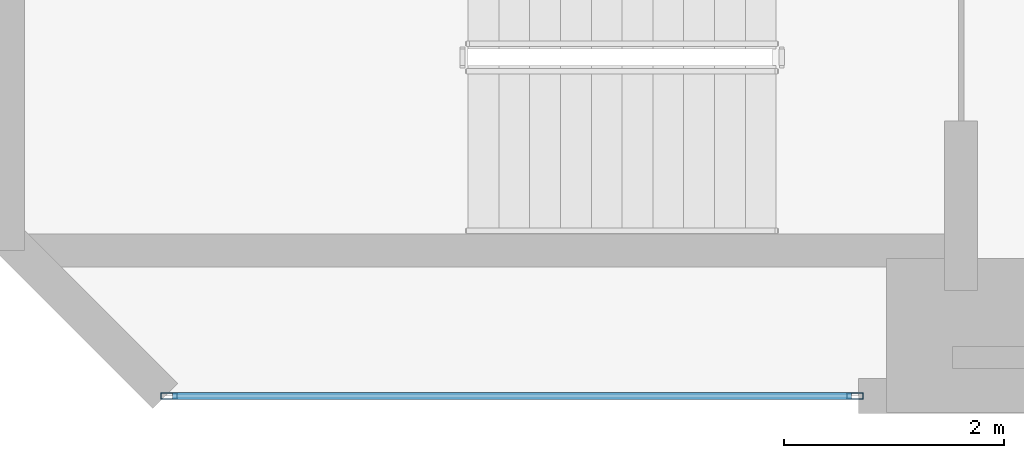
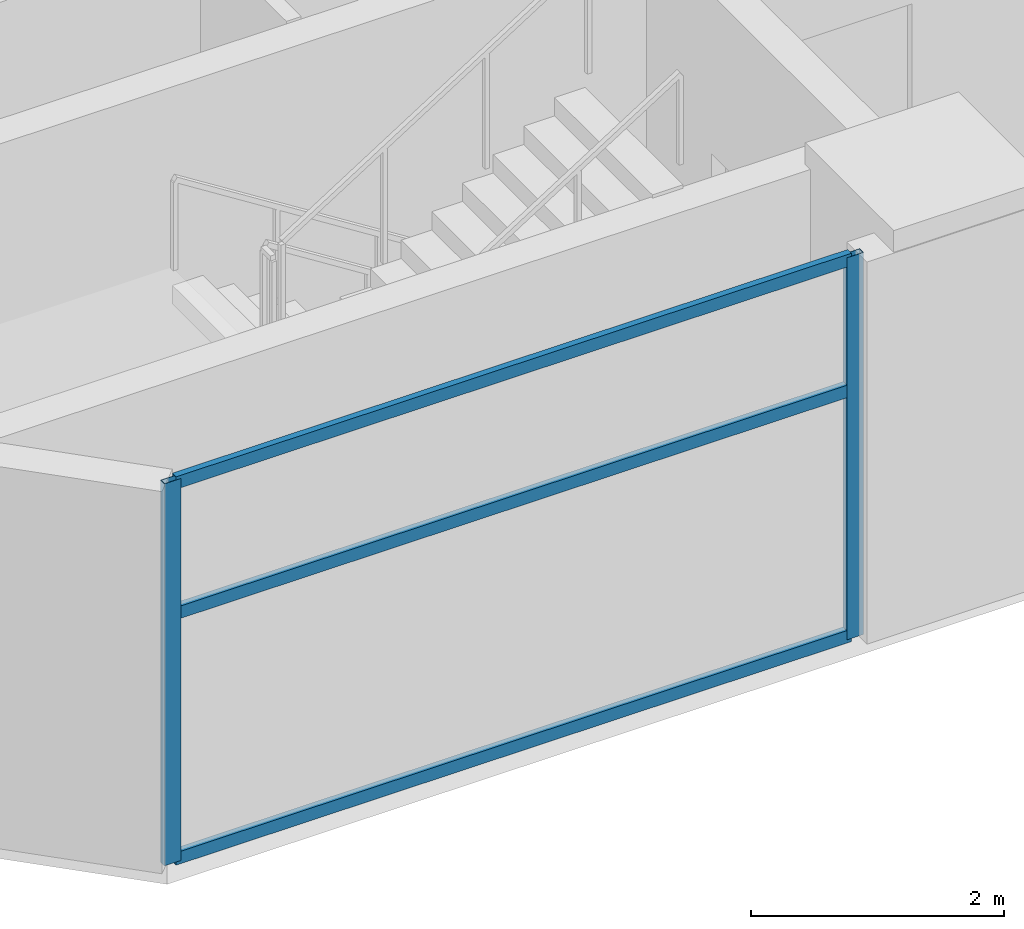
# One storey, part 2 of 17: 5 members, 1 element without a shape of its own.
"""IFC4 building model written with IfcOpenShell, lengths in metres."""

from ifc_helpers import new_model, si_unit, direction, frame, origin, origin_2d, place, context, subcontext, project, spatial, hollow_rectangle, extrude, material, layer, layer_set, material_profile, profile_set, type_object, element, aggregate, save


model = new_model("IFC4")

# Units and contexts
model_context = context("Model", 3, precision=1e-05, world=origin(), true_north=direction((0.0, 1.0)))
body_context = subcontext(model_context, "Body", "Model", "MODEL_VIEW")
ifc_project = project(units=[si_unit("LENGTHUNIT", "METRE"), si_unit("AREAUNIT", "SQUARE_METRE"), si_unit("VOLUMEUNIT", "CUBIC_METRE"), si_unit("PLANEANGLEUNIT", "RADIAN"), si_unit("MASSUNIT", "GRAM", prefix="KILO")], contexts=[model_context])

# Site, building, storey
site_placement = place(None, origin())
site = spatial("IfcSite", under=ifc_project, at=site_placement, CompositionType="ELEMENT")
building_placement = place(site_placement, origin())
building = spatial("IfcBuilding", under=site, at=building_placement, Name="Mawjaban Terraces University", CompositionType="ELEMENT")
storey_placement = place(building_placement, frame((0.0, 0.0, 85.60009765625)))
storey = spatial("IfcBuildingStorey", under=building, at=storey_placement, Name="L20", CompositionType="ELEMENT", Elevation=85.60009765625)

# Curtain wall, members
ifc_material_1 = material(Name="Anodised aluminium 6063-T6 and solar-control low-E glass", Category="aluminium")
ifc_layer = layer(ifc_material_1, 0.1650390625)
ifc_layer_set = layer_set([ifc_layer], Name="Anodised aluminium 6063-T6 and solar-control low-E glass")
curtain_wall_type = type_object("IfcCurtainWallType", Name="CWSystem_04_EastWing", PredefinedType="NOTDEFINED", material=ifc_layer_set)
curtain_wall_placement = place(storey_placement, origin())
curtain_wall = element("IfcCurtainWall", 1, at=curtain_wall_placement, inside=storey, type_object=curtain_wall_type, Name="L20 Curtain Wall CW-04 Run 1.1", PredefinedType="NOTDEFINED")
ifc_material_2 = material(Name="Anodised aluminium 6063-T6", Category="aluminium")
ifc_material_profile_1 = material_profile(ifc_material_2, hollow_rectangle(XDim=0.06005859375, YDim=0.14990234375, WallThickness=0.00390625, at=origin_2d()), Name="ALU150X60X4")
ifc_profile_set_1 = profile_set([ifc_material_profile_1], Name="Anodised aluminium 6063-T6")
member_type_1 = type_object("IfcMemberType", Name="Mullion_CW-04", PredefinedType="MULLION", material=ifc_profile_set_1)
member_1_placement = place(storey_placement, frame((24.532470703125, 0.0, 0.0), z_axis=(0.0, 0.0, 1.0), x_axis=(0.0, 1.0, 0.0)))
member_1 = element("IfcMember", 2, at=member_1_placement, type_object=member_type_1, Name="CW-04 mullion 1", PredefinedType="MULLION", context=body_context, shape_type="SweptSolid", body=[
    extrude(hollow_rectangle(XDim=0.06005859375, YDim=0.14990234375, WallThickness=0.00390625, at=origin_2d()), origin(), (0.0, 0.0, 1.0), 3.68994140625),
])
member_2_placement = place(storey_placement, frame((30.767578125, 0.0, 0.0), z_axis=(0.0, 0.0, 1.0), x_axis=(0.0, 1.0, 0.0)))
member_2 = element("IfcMember", 3, at=member_2_placement, type_object=member_type_1, Name="CW-04 mullion 2", PredefinedType="MULLION", context=body_context, shape_type="SweptSolid", body=[
    extrude(hollow_rectangle(XDim=0.06005859375, YDim=0.14990234375, WallThickness=0.00390625, at=origin_2d()), origin(), (0.0, 0.0, 1.0), 3.68994140625),
])
ifc_material_profile_2 = material_profile(ifc_material_2, hollow_rectangle(XDim=0.06005859375, YDim=0.1201171875, WallThickness=0.00341796875, at=origin_2d()), Name="ALU120X60X3.5")
ifc_profile_set_2 = profile_set([ifc_material_profile_2], Name="Anodised aluminium 6063-T6")
member_type_2 = type_object("IfcMemberType", Name="Transom_CW-04", PredefinedType="NOTDEFINED", material=ifc_profile_set_2)
member_3_placement = place(storey_placement, frame((24.56494140625, 0.0, 0.02978515625), z_axis=(1.0, 0.0, 0.0), x_axis=(0.0, 1.0, 0.0)))
member_3 = element("IfcMember", 4, at=member_3_placement, type_object=member_type_2, Name="CW-04 transom 1.1", ObjectType="TRANSOM", PredefinedType="USERDEFINED", context=body_context, shape_type="SweptSolid", body=[
    extrude(hollow_rectangle(XDim=0.06005859375, YDim=0.1201171875, WallThickness=0.00341796875, at=origin_2d()), origin(), (0.0, 0.0, 1.0), 6.170166015625),
])
member_4_placement = place(storey_placement, frame((24.56494140625, 0.0, 2.39892578125), z_axis=(1.0, 0.0, 0.0), x_axis=(0.0, 1.0, 0.0)))
member_4 = element("IfcMember", 5, at=member_4_placement, type_object=member_type_2, Name="CW-04 transom 1.2", ObjectType="TRANSOM", PredefinedType="USERDEFINED", context=body_context, shape_type="SweptSolid", body=[
    extrude(hollow_rectangle(XDim=0.06005859375, YDim=0.1201171875, WallThickness=0.00341796875, at=origin_2d()), origin(), (0.0, 0.0, 1.0), 6.170166015625),
])
member_5_placement = place(storey_placement, frame((24.56494140625, 0.0, 3.659912109375), z_axis=(1.0, 0.0, 0.0), x_axis=(0.0, 1.0, 0.0)))
member_5 = element("IfcMember", 6, at=member_5_placement, type_object=member_type_2, Name="CW-04 transom 1.3", ObjectType="TRANSOM", PredefinedType="USERDEFINED", context=body_context, shape_type="SweptSolid", body=[
    extrude(hollow_rectangle(XDim=0.06005859375, YDim=0.1201171875, WallThickness=0.00341796875, at=origin_2d()), origin(), (0.0, 0.0, 1.0), 6.170166015625),
])
aggregate(curtain_wall, [member_1, member_2, member_3, member_4, member_5])

save(model, "model.ifc")
